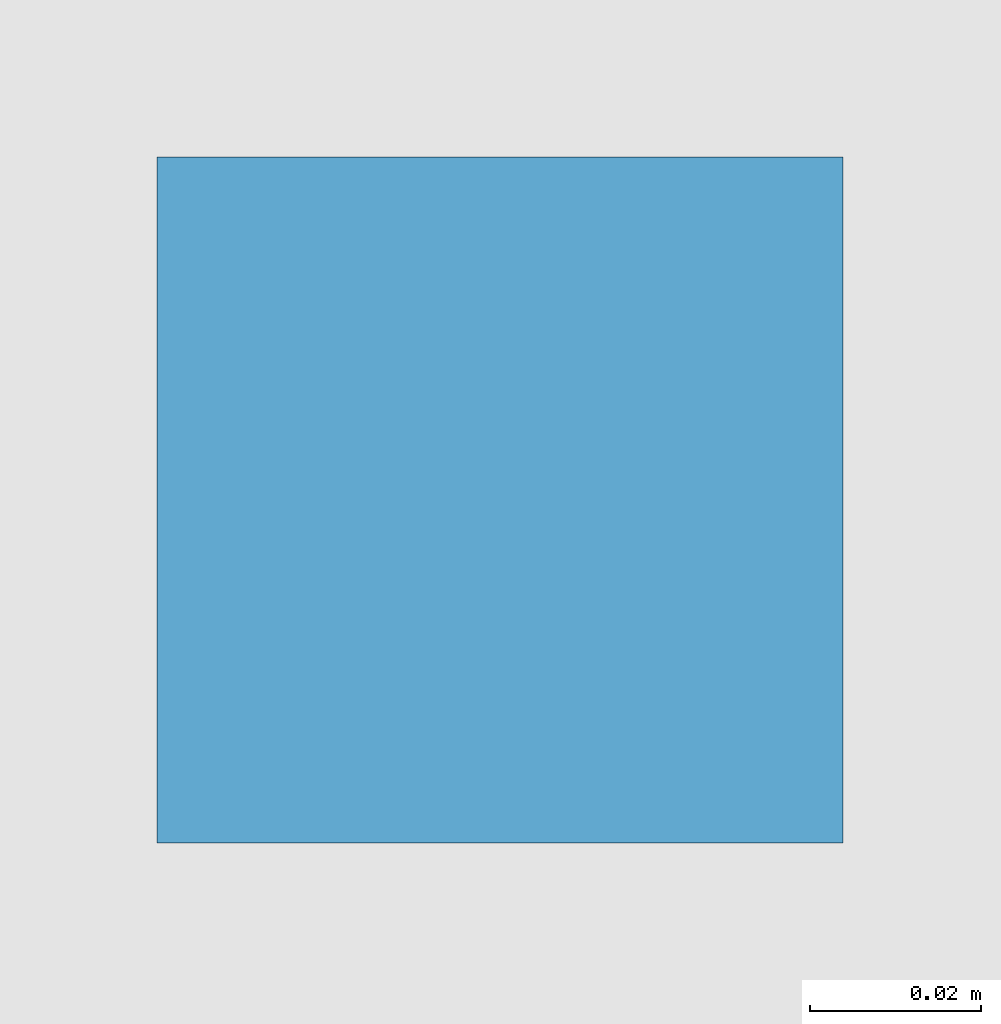
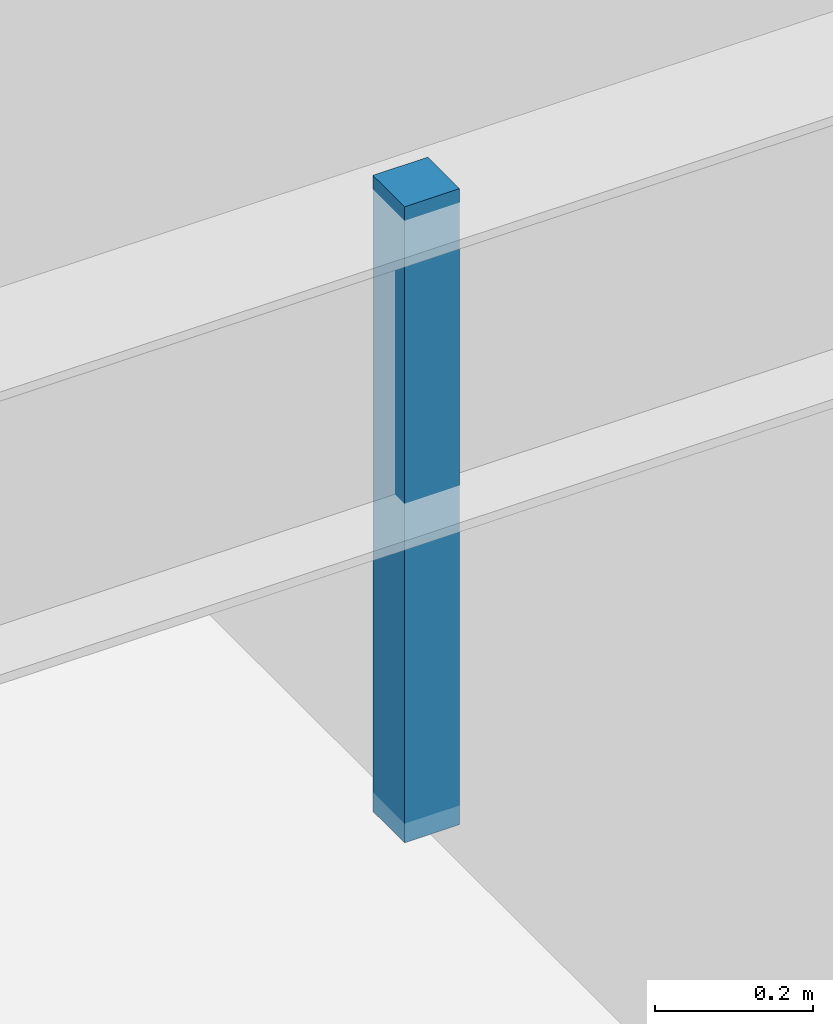
# One storey, part 11 of 16: 1 discrete accessory.
"""IFC4 building model written with IfcOpenShell, lengths in metres."""

from ifc_helpers import new_model, si_unit, direction, frame, origin, origin_2d, place, context, subcontext, project, spatial, rectangle, extrude, source, transform, mapped, material, type_object, element, save


model = new_model("IFC4")

# Units and contexts
model_context = context("Model", 3, precision=1e-05, world=origin(), true_north=direction((0.0, 1.0)))
body_context = subcontext(model_context, "Body", "Model", "MODEL_VIEW")
ifc_project = project(units=[si_unit("LENGTHUNIT", "METRE"), si_unit("AREAUNIT", "SQUARE_METRE"), si_unit("VOLUMEUNIT", "CUBIC_METRE"), si_unit("PLANEANGLEUNIT", "RADIAN"), si_unit("MASSUNIT", "GRAM", prefix="KILO")], contexts=[model_context])

# Site, building, storey
site_placement = place(None, origin())
site = spatial("IfcSite", under=ifc_project, at=site_placement, CompositionType="ELEMENT")
building_placement = place(site_placement, origin())
building = spatial("IfcBuilding", under=site, at=building_placement, Name="Giltprow Tower", CompositionType="ELEMENT")
storey_placement = place(building_placement, frame((0.0, 0.0, 79.60009765625)))
storey = spatial("IfcBuildingStorey", under=building, at=storey_placement, Name="L19", CompositionType="ELEMENT", Elevation=79.60009765625)

# Discrete accessory
ifc_material = material(Name="Structural steel Q355B", Category="steel")
discrete_accessory_type = type_object("IfcDiscreteAccessoryType", Name="ACC-CLG-HANGER", PredefinedType="BRACKET", material=ifc_material)
shared_shape = source(origin(), body_context, "Body", "SweptSolid", [
    extrude(rectangle(XDim=0.080078125, YDim=0.080078125, at=origin_2d()), origin(), (0.0, 0.0, 1.0), 0.97998046875),
])
discrete_accessory_placement = place(storey_placement, frame((25.39990234375, 19.154052734375, 2.719970703125), z_axis=(0.0, 0.0, 1.0), x_axis=(1.0, 0.0, 0.0)))
element("IfcDiscreteAccessory", 1, at=discrete_accessory_placement, inside=storey, type_object=discrete_accessory_type, Name="L19 Office Acoustic Ceiling Suspension Hanger", PredefinedType="BRACKET", context=body_context, shape_type="MappedRepresentation", body=[
    mapped(shared_shape, transform((0.0, 0.0, 0.0), x_axis=(1.0, 0.0, 0.0), y_axis=(0.0, 1.0, 0.0), z_axis=(0.0, 0.0, 1.0), scale=1.0)),
])

save(model, "model.ifc")
